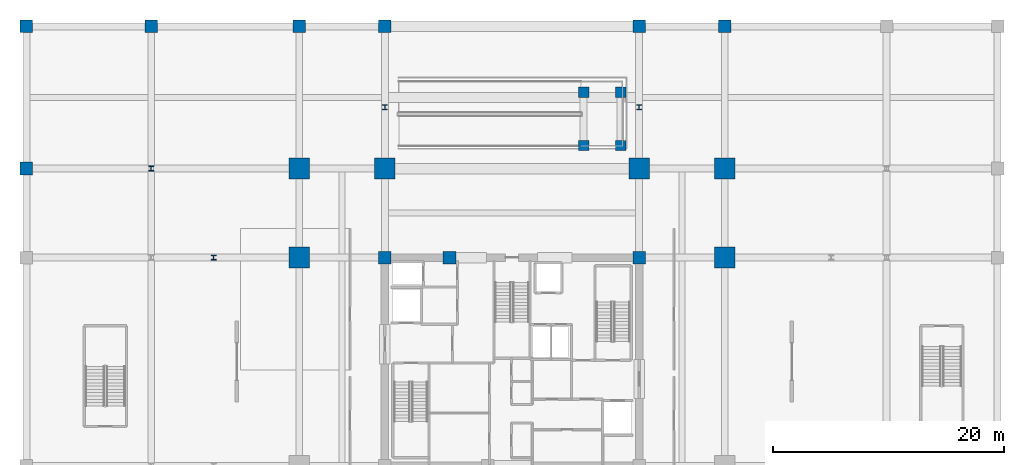
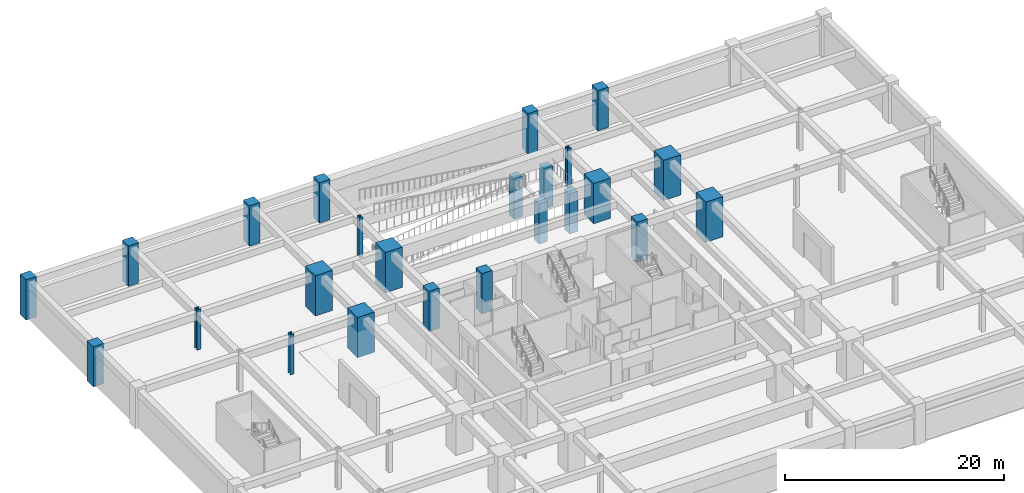
# One storey, part 2 of 16: 24 columns.
"""IFC4 building model written with IfcOpenShell, lengths in metres."""

from ifc_helpers import new_model, si_unit, direction, frame, origin, origin_2d, place, context, subcontext, project, spatial, rectangle, i_section, extrude, material, material_profile, profile_set, type_object, element, save


model = new_model("IFC4")

# Units and contexts
model_context = context("Model", 3, precision=1e-05, world=origin(), true_north=direction((0.0, 1.0)))
body_context = subcontext(model_context, "Body", "Model", "MODEL_VIEW")
ifc_project = project(units=[si_unit("LENGTHUNIT", "METRE"), si_unit("AREAUNIT", "SQUARE_METRE"), si_unit("VOLUMEUNIT", "CUBIC_METRE"), si_unit("PLANEANGLEUNIT", "RADIAN"), si_unit("MASSUNIT", "GRAM", prefix="KILO")], contexts=[model_context])

# Site, building, storey
site_placement = place(None, origin())
site = spatial("IfcSite", under=ifc_project, at=site_placement, CompositionType="ELEMENT")
building_placement = place(site_placement, origin())
building = spatial("IfcBuilding", under=site, at=building_placement, Name="Kovane Verandah Tower", CompositionType="ELEMENT")
storey_placement = place(building_placement, frame((0.0, 0.0, -4.5)))
storey = spatial("IfcBuildingStorey", under=building, at=storey_placement, Name="B1", CompositionType="ELEMENT", Elevation=-4.5)

# Columns
ifc_material_1 = material(Name="Concrete C60/75", Category="concrete")
ifc_material_profile_1 = material_profile(ifc_material_1, rectangle(XDim=1.10009765625, YDim=1.10009765625, at=origin_2d()), Name="RC1100x1100")
ifc_profile_set_1 = profile_set([ifc_material_profile_1], Name="Concrete C60/75")
column_type_1 = type_object("IfcColumnType", Name="COL-POD1100", PredefinedType="COLUMN", material=ifc_profile_set_1)
for number, where, z_axis, x_axis, name in (
    (1, (-2.0, 44.199951171875, 0.0), (0.0, 0.0, 1.0), (1.0, 0.0, 0.0), "B1 Podium Column PC-W4"),
    (2, (-2.0, 56.5, 0.0), (0.0, 0.0, 1.0), (1.0, 0.0, 0.0), "B1 Podium Column PC-W5"),
    (3, (8.800048828125, 56.5, 0.0), (0.0, 0.0, 1.0), (1.0, 0.0, 0.0), "B1 Podium Column PC-N1"),
    (4, (21.60009765625, 56.5, 0.0), (0.0, 0.0, 1.0), (1.0, 0.0, 0.0), "B1 Podium Column PC-N2"),
    (5, (29.0, 56.5, 0.0), (0.0, 0.0, 1.0), (1.0, 0.0, 0.0), "B1 Podium Column PC-N3"),
    (6, (51.0, 56.5, 0.0), (0.0, 0.0, 1.0), (1.0, 0.0, 0.0), "B1 Podium Column PC-N4"),
    (7, (58.39990234375, 56.5, 0.0), (0.0, 0.0, 1.0), (1.0, 0.0, 0.0), "B1 Podium Column PC-N5"),
):
    element("IfcColumn", number, at=place(storey_placement, frame(where, z_axis=z_axis, x_axis=x_axis)), inside=storey, type_object=column_type_1, Name=name, PredefinedType="COLUMN", context=body_context, shape_type="SweptSolid", body=[
        extrude(rectangle(XDim=1.10009765625, YDim=1.10009765625, at=origin_2d()), origin(), (0.0, 0.0, 1.0), 4.5),
    ])
ifc_material_2 = material(Name="Concrete C80/95", Category="concrete")
ifc_material_profile_2 = material_profile(ifc_material_2, rectangle(XDim=1.800048828125, YDim=1.800048828125, at=origin_2d()), Name="RC1800x1800")
ifc_profile_set_2 = profile_set([ifc_material_profile_2], Name="Concrete C80/95")
column_type_2 = type_object("IfcColumnType", Name="COL-RC1800", PredefinedType="COLUMN", material=ifc_profile_set_2)
for number, where, z_axis, x_axis, name in (
    (8, (29.0, 44.199951171875, 0.0), (0.0, 0.0, 1.0), (1.0, 0.0, 0.0), "B1 Tower Mega-Column MC-N1"),
    (9, (51.0, 44.199951171875, 0.0), (0.0, 0.0, 1.0), (1.0, 0.0, 0.0), "B1 Tower Mega-Column MC-N2"),
    (10, (21.60009765625, 36.5, 0.0), (0.0, 0.0, 1.0), (1.0, 0.0, 0.0), "B1 Tower Mega-Column MC-W2"),
    (11, (58.39990234375, 36.5, 0.0), (0.0, 0.0, 1.0), (1.0, 0.0, 0.0), "B1 Tower Mega-Column MC-E2"),
    (12, (21.60009765625, 44.199951171875, 0.0), (0.0, 0.0, 1.0), (1.0, 0.0, 0.0), "B1 Tower Mega-Column MC-NW"),
    (13, (58.39990234375, 44.199951171875, 0.0), (0.0, 0.0, 1.0), (1.0, 0.0, 0.0), "B1 Tower Mega-Column MC-NE"),
):
    element("IfcColumn", number, at=place(storey_placement, frame(where, z_axis=z_axis, x_axis=x_axis)), inside=storey, type_object=column_type_2, Name=name, PredefinedType="COLUMN", context=body_context, shape_type="SweptSolid", body=[
        extrude(rectangle(XDim=1.800048828125, YDim=1.800048828125, at=origin_2d()), origin(), (0.0, 0.0, 1.0), 4.5),
    ])
ifc_material_3 = material(Name="Steel S460", Category="steel")
ifc_material_profile_3 = material_profile(ifc_material_3, i_section(OverallWidth=0.412109375, OverallDepth=0.4365234375, WebThickness=0.035888671875, FlangeThickness=0.05810546875, FilletRadius=0.01513671875, at=origin_2d()), Name="UC356x406x467")
ifc_profile_set_3 = profile_set([ifc_material_profile_3], Name="Steel S460")
column_type_3 = type_object("IfcColumnType", Name="COL-UC467", PredefinedType="COLUMN", material=ifc_profile_set_3)
for number, where, z_axis, x_axis, name in (
    (14, (14.199951171875, 36.5, 0.0), (0.0, 0.0, 1.0), (1.0, 0.0, 0.0), "B1 Verandah Perimeter Column VC-W2"),
    (15, (29.0, 49.5, 0.0), (0.0, 0.0, 1.0), (1.0, 0.0, 0.0), "B1 Verandah Perimeter Column VC-N1"),
    (16, (51.0, 49.5, 0.0), (0.0, 0.0, 1.0), (1.0, 0.0, 0.0), "B1 Verandah Perimeter Column VC-N2"),
):
    element("IfcColumn", number, at=place(storey_placement, frame(where, z_axis=z_axis, x_axis=x_axis)), inside=storey, type_object=column_type_3, Name=name, PredefinedType="COLUMN", context=body_context, shape_type="SweptSolid", body=[
        extrude(i_section(OverallWidth=0.412109375, OverallDepth=0.4365234375, WebThickness=0.035888671875, FlangeThickness=0.05810546875, FilletRadius=0.01513671875, at=origin_2d()), origin(), (0.0, 0.0, 1.0), 4.5),
    ])
ifc_material_4 = material(Name="Steel S355", Category="steel")
ifc_material_profile_4 = material_profile(ifc_material_4, i_section(OverallWidth=0.41845703125, OverallDepth=0.45556640625, WebThickness=0.0419921875, FlangeThickness=0.0673828125, FilletRadius=0.01513671875, at=origin_2d()), Name="UC356x406x551")
ifc_profile_set_4 = profile_set([ifc_material_profile_4], Name="Steel S355")
column_type_4 = type_object("IfcColumnType", Name="COL-UC551", PredefinedType="COLUMN", material=ifc_profile_set_4)
column_placement = place(storey_placement, frame((8.800048828125, 44.199951171875, 0.0), z_axis=(0.0, 0.0, 1.0), x_axis=(1.0, 0.0, 0.0)))
element("IfcColumn", 17, at=column_placement, inside=storey, type_object=column_type_4, Name="B1 Podium Column PC-MW4", PredefinedType="COLUMN", context=body_context, shape_type="SweptSolid", body=[
    extrude(i_section(OverallWidth=0.41845703125, OverallDepth=0.45556640625, WebThickness=0.0419921875, FlangeThickness=0.0673828125, FilletRadius=0.01513671875, at=origin_2d()), origin(), (0.0, 0.0, 1.0), 4.5),
])
ifc_material_5 = material(Name="Concrete C45/55", Category="concrete")
ifc_material_profile_5 = material_profile(ifc_material_5, rectangle(XDim=0.89990234375, YDim=0.89990234375, at=origin_2d()), Name="RC900x900")
ifc_profile_set_5 = profile_set([ifc_material_profile_5], Name="Concrete C45/55")
column_type_5 = type_object("IfcColumnType", Name="COL-VR900", PredefinedType="COLUMN", material=ifc_profile_set_5)
for number, where, z_axis, x_axis, name in (
    (18, (46.199951171875, 46.199951171875, -2.25), (0.0, 0.0, 1.0), (1.0, 0.0, 0.0), "B1 Vehicle Ramp Landing Column 1"),
    (19, (49.39990234375, 46.199951171875, -2.25), (0.0, 0.0, 1.0), (1.0, 0.0, 0.0), "B1 Vehicle Ramp Landing Column 2"),
    (20, (46.199951171875, 50.800048828125, -2.25), (0.0, 0.0, 1.0), (1.0, 0.0, 0.0), "B1 Vehicle Ramp Landing Column 3"),
    (21, (49.39990234375, 50.800048828125, -2.25), (0.0, 0.0, 1.0), (1.0, 0.0, 0.0), "B1 Vehicle Ramp Landing Column 4"),
):
    element("IfcColumn", number, at=place(storey_placement, frame(where, z_axis=z_axis, x_axis=x_axis)), inside=storey, type_object=column_type_5, Name=name, PredefinedType="COLUMN", context=body_context, shape_type="SweptSolid", body=[
        extrude(rectangle(XDim=0.89990234375, YDim=0.89990234375, at=origin_2d()), origin(), (0.0, 0.0, 1.0), 4.5),
    ])
ifc_material_profile_6 = material_profile(ifc_material_2, rectangle(XDim=1.10009765625, YDim=1.10009765625, at=origin_2d()), Name="RC1100x1100")
ifc_profile_set_6 = profile_set([ifc_material_profile_6], Name="Concrete C80/95")
column_type_6 = type_object("IfcColumnType", Name="PIL-RC1100", PredefinedType="PILASTER", material=ifc_profile_set_6)
for number, where, z_axis, x_axis, name in (
    (22, (29.0, 36.5, 0.0), (0.0, 0.0, 1.0), (1.0, 0.0, 0.0), "B1 Core Pilaster CP-NW"),
    (23, (51.0, 36.5, 0.0), (0.0, 0.0, 1.0), (1.0, 0.0, 0.0), "B1 Core Pilaster CP-NE"),
    (24, (34.60009765625, 36.5, 0.0), (0.0, 0.0, 1.0), (1.0, 0.0, 0.0), "B1 Core Pilaster CP-N"),
):
    element("IfcColumn", number, at=place(storey_placement, frame(where, z_axis=z_axis, x_axis=x_axis)), inside=storey, type_object=column_type_6, Name=name, PredefinedType="PILASTER", context=body_context, shape_type="SweptSolid", body=[
        extrude(rectangle(XDim=1.10009765625, YDim=1.10009765625, at=origin_2d()), origin(), (0.0, 0.0, 1.0), 4.5),
    ])

save(model, "model.ifc")
